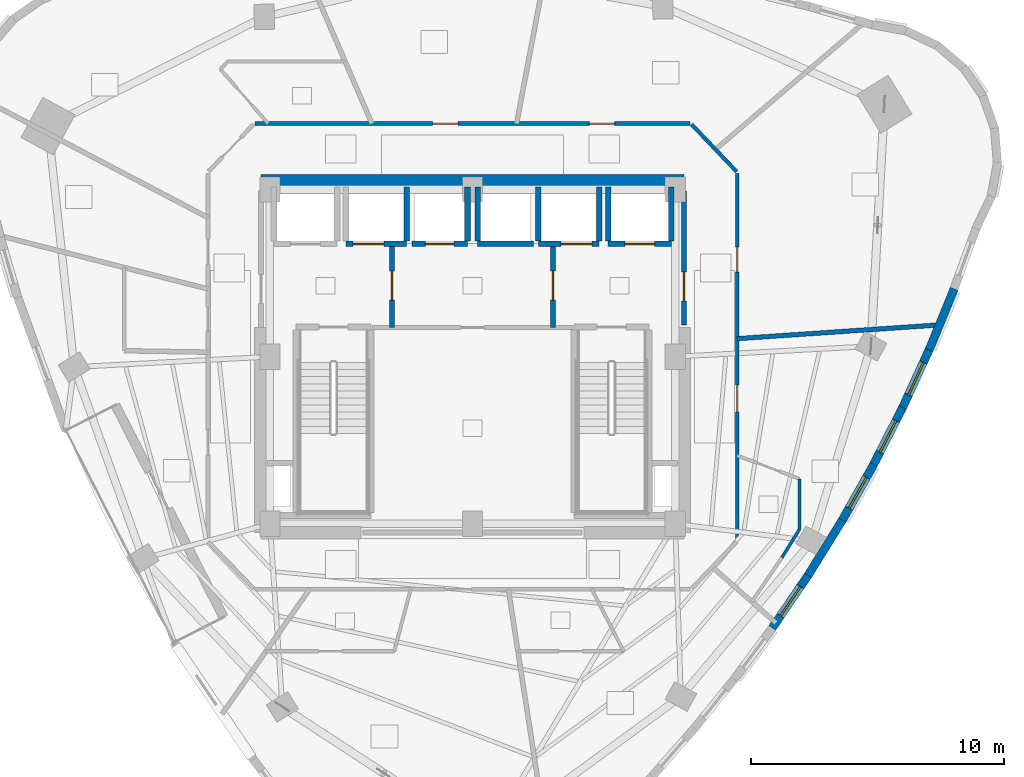
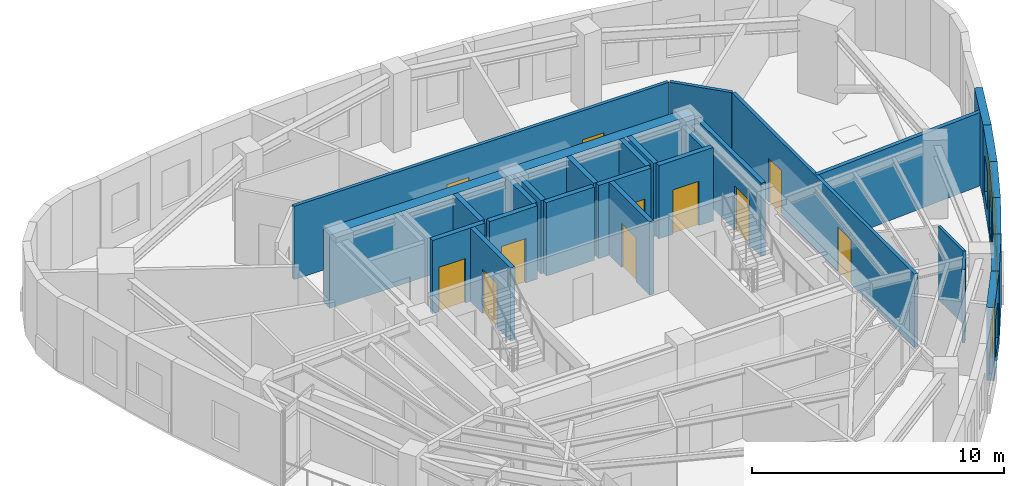
# One storey, part 8 of 13: 28 walls, 11 doors, 4 windows, 15 openings.
"""IFC4 building model written with IfcOpenShell, lengths in metres."""

from ifc_helpers import new_model, si_unit, direction, frame, frame_2d, origin, place, context, subcontext, project, spatial, rectangle, extrude, material, layer, layer_set, type_object, element, fill, save


model = new_model("IFC4")

# Units and contexts
model_context = context("Model", 3, precision=1e-05, world=origin(), true_north=direction((0.0, 1.0)))
body_context = subcontext(model_context, "Body", "Model", "MODEL_VIEW")
ifc_project = project(units=[si_unit("LENGTHUNIT", "METRE"), si_unit("AREAUNIT", "SQUARE_METRE"), si_unit("VOLUMEUNIT", "CUBIC_METRE"), si_unit("PLANEANGLEUNIT", "RADIAN"), si_unit("MASSUNIT", "GRAM", prefix="KILO")], contexts=[model_context])

# Site, building, storey
site_placement = place(None, origin())
site = spatial("IfcSite", under=ifc_project, at=site_placement, CompositionType="ELEMENT")
building_placement = place(site_placement, origin())
building = spatial("IfcBuilding", under=site, at=building_placement, Name="Ndelora Gate Hotel", CompositionType="ELEMENT")
storey_placement = place(building_placement, frame((0.0, 0.0, 197.949951171875)))
storey = spatial("IfcBuildingStorey", under=building, at=storey_placement, Name="L49", CompositionType="ELEMENT", Elevation=197.949951171875)

# Wall
ifc_material_1 = material(Name="Acoustic Double-Stud Gypsum Assembly", Category="gypsum")
ifc_layer_1 = layer(ifc_material_1, 0.179931640625)
ifc_layer_set_1 = layer_set([ifc_layer_1], Name="Acoustic Double-Stud Gypsum Assembly")
wall_type_1 = type_object("IfcWallType", Name="WL-ACOUST-180", PredefinedType="PARTITIONING", material=ifc_layer_set_1)
wall_1_placement = place(storey_placement, frame((10.449951171875, 0.7109375, 0.0), z_axis=(0.0, 0.0, 1.0), x_axis=(0.997694458534, 0.067865804428, 0.0)))
element("IfcWall", 1, at=wall_1_placement, inside=storey, type_object=wall_type_1, Name="L49 Interior Wall IW-3", PredefinedType="PARTITIONING", context=body_context, shape_type="SweptSolid", body=[
    extrude(rectangle(XDim=8.000732421875, YDim=0.179931640625, at=frame_2d((4.00048828125, 0.0))), origin(), (0.0, 0.0, 1.0), 3.550048828125),
])

# Wall, opening, window
ifc_material_2 = material(Name="Clay Brick Masonry", Category="masonry")
ifc_layer_2 = layer(ifc_material_2, 0.330078125)
ifc_layer_set_2 = layer_set([ifc_layer_2], Name="Clay Brick Masonry")
wall_type_2 = type_object("IfcWallType", Name="WL-BRICK-330", PredefinedType="SOLIDWALL", material=ifc_layer_set_2)
wall_2_placement = place(storey_placement, frame((13.277099609375, -8.59228515625, 0.0), z_axis=(0.0, 0.0, 1.0), x_axis=(-0.562164288669, -0.827025581554, 0.0)))
wall_2 = element("IfcWall", 2, at=wall_2_placement, inside=storey, type_object=wall_type_2, Name="L49 Tower Brick Pier-and-Spandrel Wall TWR-32", PredefinedType="SOLIDWALL", context=body_context, shape_type="SweptSolid", body=[
    extrude(rectangle(XDim=2.566162109375, YDim=0.330078125, at=frame_2d((1.283203125, 0.0))), origin(), (0.0, 0.0, 1.0), 3.550048828125),
])
opening_1_placement = place(wall_2_placement, frame((0.5830078125, 0.0, 0.719970703125)))
opening_1 = element("IfcOpeningElement", 3, at=opening_1_placement, cuts=wall_2, Name="Opening W02", PredefinedType="OPENING", context=body_context, shape_type="SweptSolid", body=[
    extrude(rectangle(XDim=1.39990234375, YDim=1.840087890625, at=frame_2d((0.699951171875, 0.919921875))), frame((0.0, 0.175048828125, 0.0), z_axis=(0.0, -1.0, 0.0), x_axis=(1.0, 0.0, 0.0)), (0.0, 0.0, 1.0), 0.35009765625),
])
ifc_material_3 = material(Name="Insulated Low-E Double Glazing in Bronze Aluminium Frame", Category="aluminium")
window_type = type_object("IfcWindowType", Name="WN-DEEP-1400", PartitioningType="SINGLE_PANEL", PredefinedType="WINDOW", material=ifc_material_3)
window_1_placement = place(opening_1_placement, origin())
window_1 = element("IfcWindow", 4, at=window_1_placement, inside=storey, type_object=window_type, Name="L49 Deep-Set Brick-Pier Window W02", OverallHeight=1.840087890625, OverallWidth=1.39990234375, PartitioningType="SINGLE_PANEL", PredefinedType="WINDOW", context=body_context, shape_type="SweptSolid", body=[
    extrude(rectangle(XDim=1.39990234375, YDim=1.840087890625, at=frame_2d((0.699951171875, 0.919921875))), frame((0.0, 0.030029296875, 0.0), z_axis=(0.0, -1.0, 0.0), x_axis=(1.0, 0.0, 0.0)), (0.0, 0.0, 1.0), 0.06005859375),
])
fill(opening_1, window_1)

# Wall
wall_3_placement = place(storey_placement, frame((14.601806640625, -6.453369140625, 0.0), z_axis=(0.0, 0.0, 1.0), x_axis=(-0.526908054593, -0.849922291745, 0.0)))
element("IfcWall", 5, at=wall_3_placement, inside=storey, type_object=wall_type_2, Name="L49 Tower Brick Pier-and-Spandrel Wall TWR-33", PredefinedType="SOLIDWALL", context=body_context, shape_type="SweptSolid", body=[
    extrude(rectangle(XDim=2.56591796875, YDim=0.330078125, at=frame_2d((1.282958984375, 0.0))), origin(), (0.0, 0.0, 1.0), 3.550048828125),
])

# Wall, opening, window
wall_4_placement = place(storey_placement, frame((15.838134765625, -4.2568359375, 0.0), z_axis=(0.0, 0.0, 1.0), x_axis=(-0.490851857412, -0.871243051091, 0.0)))
wall_4 = element("IfcWall", 6, at=wall_4_placement, inside=storey, type_object=wall_type_2, Name="L49 Tower Brick Pier-and-Spandrel Wall TWR-34", PredefinedType="SOLIDWALL", context=body_context, shape_type="SweptSolid", body=[
    extrude(rectangle(XDim=2.570556640625, YDim=0.330078125, at=frame_2d((1.28515625, 0.0))), origin(), (0.0, 0.0, 1.0), 3.550048828125),
])
opening_2_placement = place(wall_4_placement, frame((0.585205078125, 0.0, 0.719970703125)))
opening_2 = element("IfcOpeningElement", 7, at=opening_2_placement, cuts=wall_4, Name="Opening W02", PredefinedType="OPENING", context=body_context, shape_type="SweptSolid", body=[
    extrude(rectangle(XDim=1.39990234375, YDim=1.840087890625, at=frame_2d((0.699951171875, 0.919921875))), frame((0.0, 0.175048828125, 0.0), z_axis=(0.0, -1.0, 0.0), x_axis=(1.0, 0.0, 0.0)), (0.0, 0.0, 1.0), 0.35009765625),
])
window_2_placement = place(opening_2_placement, origin())
window_2 = element("IfcWindow", 8, at=window_2_placement, inside=storey, type_object=window_type, Name="L49 Deep-Set Brick-Pier Window W02", OverallHeight=1.840087890625, OverallWidth=1.39990234375, PartitioningType="SINGLE_PANEL", PredefinedType="WINDOW", context=body_context, shape_type="SweptSolid", body=[
    extrude(rectangle(XDim=1.39990234375, YDim=1.840087890625, at=frame_2d((0.699951171875, 0.919921875))), frame((0.0, 0.030029296875, 0.0), z_axis=(0.0, -1.0, 0.0), x_axis=(1.0, 0.0, 0.0)), (0.0, 0.0, 1.0), 0.06005859375),
])
fill(opening_2, window_2)

wall_5_placement = place(storey_placement, frame((16.986083984375, -2.002685546875, 0.0), z_axis=(0.0, 0.0, 1.0), x_axis=(-0.454203650024, -0.890897886576, 0.0)))
wall_5 = element("IfcWall", 9, at=wall_5_placement, inside=storey, type_object=wall_type_2, Name="L49 Tower Brick Pier-and-Spandrel Wall TWR-35", PredefinedType="SOLIDWALL", context=body_context, shape_type="SweptSolid", body=[
    extrude(rectangle(XDim=2.57958984375, YDim=0.330078125, at=frame_2d((1.289794921875, 0.0))), origin(), (0.0, 0.0, 1.0), 3.550048828125),
])
opening_3_placement = place(wall_5_placement, frame((0.589599609375, 0.0, 0.719970703125)))
opening_3 = element("IfcOpeningElement", 10, at=opening_3_placement, cuts=wall_5, Name="Opening W02", PredefinedType="OPENING", context=body_context, shape_type="SweptSolid", body=[
    extrude(rectangle(XDim=1.39990234375, YDim=1.840087890625, at=frame_2d((0.699951171875, 0.919921875))), frame((0.0, 0.175048828125, 0.0), z_axis=(0.0, -1.0, 0.0), x_axis=(1.0, 0.0, 0.0)), (0.0, 0.0, 1.0), 0.35009765625),
])
window_3_placement = place(opening_3_placement, origin())
window_3 = element("IfcWindow", 11, at=window_3_placement, inside=storey, type_object=window_type, Name="L49 Deep-Set Brick-Pier Window W02", OverallHeight=1.840087890625, OverallWidth=1.39990234375, PartitioningType="SINGLE_PANEL", PredefinedType="WINDOW", context=body_context, shape_type="SweptSolid", body=[
    extrude(rectangle(XDim=1.39990234375, YDim=1.840087890625, at=frame_2d((0.699951171875, 0.919921875))), frame((0.0, 0.030029296875, 0.0), z_axis=(0.0, -1.0, 0.0), x_axis=(1.0, 0.0, 0.0)), (0.0, 0.0, 1.0), 0.06005859375),
])
fill(opening_3, window_3)

wall_6_placement = place(storey_placement, frame((18.04541015625, 0.30859375, 0.0), z_axis=(0.0, 0.0, 1.0), x_axis=(-0.41697893771, -0.908916148776, 0.0)))
wall_6 = element("IfcWall", 12, at=wall_6_placement, inside=storey, type_object=wall_type_2, Name="L49 Tower Brick Pier-and-Spandrel Wall TWR-36", PredefinedType="SOLIDWALL", context=body_context, shape_type="SweptSolid", body=[
    extrude(rectangle(XDim=2.592529296875, YDim=0.330078125, at=frame_2d((1.29638671875, 0.0))), origin(), (0.0, 0.0, 1.0), 3.550048828125),
])
opening_4_placement = place(wall_6_placement, frame((0.59619140625, 0.0, 0.719970703125)))
opening_4 = element("IfcOpeningElement", 13, at=opening_4_placement, cuts=wall_6, Name="Opening W02", PredefinedType="OPENING", context=body_context, shape_type="SweptSolid", body=[
    extrude(rectangle(XDim=1.39990234375, YDim=1.840087890625, at=frame_2d((0.699951171875, 0.919921875))), frame((0.0, 0.175048828125, 0.0), z_axis=(0.0, -1.0, 0.0), x_axis=(1.0, 0.0, 0.0)), (0.0, 0.0, 1.0), 0.35009765625),
])
window_4_placement = place(opening_4_placement, origin())
window_4 = element("IfcWindow", 14, at=window_4_placement, inside=storey, type_object=window_type, Name="L49 Deep-Set Brick-Pier Window W02", OverallHeight=1.840087890625, OverallWidth=1.39990234375, PartitioningType="SINGLE_PANEL", PredefinedType="WINDOW", context=body_context, shape_type="SweptSolid", body=[
    extrude(rectangle(XDim=1.39990234375, YDim=1.840087890625, at=frame_2d((0.699951171875, 0.919921875))), frame((0.0, 0.030029296875, 0.0), z_axis=(0.0, -1.0, 0.0), x_axis=(1.0, 0.0, 0.0)), (0.0, 0.0, 1.0), 0.06005859375),
])
fill(opening_4, window_4)

# Walls
wall_7_placement = place(storey_placement, frame((19.01611328125, 2.67724609375, 0.0), z_axis=(0.0, 0.0, 1.0), x_axis=(-0.379601522234, -0.925150087455, 0.0)))
element("IfcWall", 15, at=wall_7_placement, inside=storey, type_object=wall_type_2, Name="L49 Tower Brick Pier-and-Spandrel Wall TWR-37", PredefinedType="SOLIDWALL", context=body_context, shape_type="SweptSolid", body=[
    extrude(rectangle(XDim=2.60986328125, YDim=0.330078125, at=frame_2d((1.304931640625, 0.0))), origin(), (0.0, 0.0, 1.0), 3.550048828125),
])
ifc_material_4 = material(Name="Concrete C50/60", Category="concrete")
ifc_layer_3 = layer(ifc_material_4, 0.5)
ifc_layer_set_3 = layer_set([ifc_layer_3], Name="Concrete C50/60")
wall_type_3 = type_object("IfcWallType", Name="WL-CORE-500", PredefinedType="SHEAR", material=ifc_layer_set_3)
wall_8_placement = place(storey_placement, frame((-8.35009765625, 6.949951171875, 0.0), z_axis=(0.0, 0.0, 1.0), x_axis=(1.0, 0.0, 0.0)))
element("IfcWall", 16, at=wall_8_placement, inside=storey, type_object=wall_type_3, Name="L49 Core Shear Wall N", PredefinedType="SHEAR", context=body_context, shape_type="SweptSolid", body=[
    extrude(rectangle(XDim=16.7001953125, YDim=0.5, at=frame_2d((8.35009765625, 0.0))), origin(), (0.0, 0.0, 1.0), 3.550048828125),
])

# Wall, opening, door
ifc_material_5 = material(Name="Concrete C40/50", Category="concrete")
ifc_layer_4 = layer(ifc_material_5, 0.199951171875)
ifc_layer_set_4 = layer_set([ifc_layer_4], Name="Concrete C40/50")
wall_type_4 = type_object("IfcWallType", Name="WL-FIRE-200", PredefinedType="PARTITIONING", material=ifc_layer_set_4)
wall_9_placement = place(storey_placement, frame((-3.179931640625, 1.14990234375, 0.0), z_axis=(0.0, 0.0, 1.0), x_axis=(0.0, 1.0, 0.0)))
wall_9 = element("IfcWall", 17, at=wall_9_placement, inside=storey, type_object=wall_type_4, Name="L49 Interior Wall IW-2", PredefinedType="PARTITIONING", context=body_context, shape_type="SweptSolid", body=[
    extrude(rectangle(XDim=3.300048828125, YDim=0.199951171875, at=frame_2d((1.64990234375, 0.0))), origin(), (0.0, 0.0, 1.0), 3.550048828125),
])
opening_5_placement = place(wall_9_placement, frame((1.080078125, 0.0, 0.0)))
opening_5 = element("IfcOpeningElement", 18, at=opening_5_placement, cuts=wall_9, Name="Opening FD1", PredefinedType="OPENING", context=body_context, shape_type="SweptSolid", body=[
    extrude(rectangle(XDim=1.14990234375, YDim=2.14990234375, at=frame_2d((0.574951171875, 1.074951171875))), frame((0.0, 0.10986328125, 0.0), z_axis=(0.0, -1.0, 0.0), x_axis=(1.0, 0.0, 0.0)), (0.0, 0.0, 1.0), 0.219970703125),
])
ifc_material_6 = material(Name="Fire-Rated Timber-Veneer Steel Core", Category="steel")
door_type_1 = type_object("IfcDoorType", Name="DR-FD60", OperationType="SINGLE_SWING_LEFT", PredefinedType="DOOR", material=ifc_material_6)
door_1_placement = place(opening_5_placement, origin())
door_1 = element("IfcDoor", 19, at=door_1_placement, inside=storey, type_object=door_type_1, Name="L49 Firefighting Lobby West Door", OperationType="SINGLE_SWING_RIGHT", OverallHeight=2.14990234375, OverallWidth=1.14990234375, PredefinedType="DOOR", context=body_context, shape_type="SweptSolid", body=[
    extrude(rectangle(XDim=1.14990234375, YDim=2.14990234375, at=frame_2d((0.574951171875, 1.074951171875))), frame((0.0, 0.02490234375, 0.0), z_axis=(0.0, -1.0, 0.0), x_axis=(1.0, 0.0, 0.0)), (0.0, 0.0, 1.0), 0.050048828125),
])
fill(opening_5, door_1)

wall_10_placement = place(storey_placement, frame((3.179931640625, 1.14990234375, 0.0), z_axis=(0.0, 0.0, 1.0), x_axis=(0.0, 1.0, 0.0)))
wall_10 = element("IfcWall", 20, at=wall_10_placement, inside=storey, type_object=wall_type_4, Name="L49 Interior Wall IW-2", PredefinedType="PARTITIONING", context=body_context, shape_type="SweptSolid", body=[
    extrude(rectangle(XDim=3.300048828125, YDim=0.199951171875, at=frame_2d((1.64990234375, 0.0))), origin(), (0.0, 0.0, 1.0), 3.550048828125),
])
opening_6_placement = place(wall_10_placement, frame((1.080078125, 0.0, 0.0)))
opening_6 = element("IfcOpeningElement", 21, at=opening_6_placement, cuts=wall_10, Name="Opening FD1", PredefinedType="OPENING", context=body_context, shape_type="SweptSolid", body=[
    extrude(rectangle(XDim=1.14990234375, YDim=2.14990234375, at=frame_2d((0.574951171875, 1.074951171875))), frame((0.0, 0.10986328125, 0.0), z_axis=(0.0, -1.0, 0.0), x_axis=(1.0, 0.0, 0.0)), (0.0, 0.0, 1.0), 0.219970703125),
])
door_2_placement = place(opening_6_placement, origin())
door_2 = element("IfcDoor", 22, at=door_2_placement, inside=storey, type_object=door_type_1, Name="L49 Firefighting Lobby East Door", OperationType="SINGLE_SWING_LEFT", OverallHeight=2.14990234375, OverallWidth=1.14990234375, PredefinedType="DOOR", context=body_context, shape_type="SweptSolid", body=[
    extrude(rectangle(XDim=1.14990234375, YDim=2.14990234375, at=frame_2d((0.574951171875, 1.074951171875))), frame((0.0, 0.02490234375, 0.0), z_axis=(0.0, -1.0, 0.0), x_axis=(1.0, 0.0, 0.0)), (0.0, 0.0, 1.0), 0.050048828125),
])
fill(opening_6, door_2)

wall_11_placement = place(storey_placement, frame((8.35009765625, 1.25, 0.0), z_axis=(0.0, 0.0, 1.0), x_axis=(0.0, 1.0, 0.0)))
wall_11 = element("IfcWall", 23, at=wall_11_placement, inside=storey, type_object=wall_type_4, Name="L49 Interior Wall IW-2", PredefinedType="PARTITIONING", context=body_context, shape_type="SweptSolid", body=[
    extrude(rectangle(XDim=5.300048828125, YDim=0.199951171875, at=frame_2d((2.64990234375, 0.0))), origin(), (0.0, 0.0, 1.0), 3.550048828125),
])
opening_7_placement = place(wall_11_placement, frame((0.949951171875, 0.0, 0.0)))
opening_7 = element("IfcOpeningElement", 24, at=opening_7_placement, cuts=wall_11, Name="Opening FD1", PredefinedType="OPENING", context=body_context, shape_type="SweptSolid", body=[
    extrude(rectangle(XDim=1.14990234375, YDim=2.14990234375, at=frame_2d((0.574951171875, 1.074951171875))), frame((0.0, 0.10986328125, 0.0), z_axis=(0.0, -1.0, 0.0), x_axis=(1.0, 0.0, 0.0)), (0.0, 0.0, 1.0), 0.219970703125),
])
door_3_placement = place(opening_7_placement, origin())
door_3 = element("IfcDoor", 25, at=door_3_placement, inside=storey, type_object=door_type_1, Name="L49 Firefighting Lobby East Corridor Door", OperationType="SINGLE_SWING_RIGHT", OverallHeight=2.14990234375, OverallWidth=1.14990234375, PredefinedType="DOOR", context=body_context, shape_type="SweptSolid", body=[
    extrude(rectangle(XDim=1.14990234375, YDim=2.14990234375, at=frame_2d((0.574951171875, 1.074951171875))), frame((0.0, 0.02490234375, 0.0), z_axis=(0.0, -1.0, 0.0), x_axis=(1.0, 0.0, 0.0)), (0.0, 0.0, 1.0), 0.050048828125),
])
fill(opening_7, door_3)

# Wall, openings, doors
ifc_material_7 = material(Name="Fire-Rated Gypsum Stud Partition", Category="gypsum")
ifc_layer_5 = layer(ifc_material_7, 0.14990234375)
ifc_layer_set_5 = layer_set([ifc_layer_5], Name="Fire-Rated Gypsum Stud Partition")
wall_type_5 = type_object("IfcWallType", Name="WL-PART-150", PredefinedType="PARTITIONING", material=ifc_layer_set_5)
wall_12_placement = place(storey_placement, frame((10.449951171875, 7.239990234375, 0.0), z_axis=(0.0, 0.0, 1.0), x_axis=(0.0, -1.0, 0.0)))
wall_12 = element("IfcWall", 26, at=wall_12_placement, inside=storey, type_object=wall_type_5, Name="L49 Interior Wall IW-5", PredefinedType="PARTITIONING", context=body_context, shape_type="SweptSolid", body=[
    extrude(rectangle(XDim=14.47998046875, YDim=0.14990234375, at=frame_2d((7.239990234375, 0.0))), origin(), (0.0, 0.0, 1.0), 3.550048828125),
])
opening_8_placement = place(wall_12_placement, frame((8.36181640625, 0.0, 0.0)))
opening_8 = element("IfcOpeningElement", 27, at=opening_8_placement, cuts=wall_12, Name="Opening D07", PredefinedType="OPENING", context=body_context, shape_type="SweptSolid", body=[
    extrude(rectangle(XDim=1.06005859375, YDim=2.14990234375, at=frame_2d((0.530029296875, 1.074951171875))), frame((0.0, 0.0849609375, 0.0), z_axis=(0.0, -1.0, 0.0), x_axis=(1.0, 0.0, 0.0)), (0.0, 0.0, 1.0), 0.169921875),
])
opening_9_placement = place(wall_12_placement, frame((2.904541015625, 0.0, 0.0)))
opening_9 = element("IfcOpeningElement", 28, at=opening_9_placement, cuts=wall_12, Name="Opening D01", PredefinedType="OPENING", context=body_context, shape_type="SweptSolid", body=[
    extrude(rectangle(XDim=1.0, YDim=2.14990234375, at=frame_2d((0.5, 1.074951171875))), frame((0.0, 0.0849609375, 0.0), z_axis=(0.0, -1.0, 0.0), x_axis=(1.0, 0.0, 0.0)), (0.0, 0.0, 1.0), 0.169921875),
])
ifc_material_8 = material(Name="Acoustic Hardwood Guest Entrance Door", Category="wood")
door_type_2 = type_object("IfcDoorType", Name="DR-COR-1000", OperationType="SINGLE_SWING_LEFT", PredefinedType="DOOR", material=ifc_material_8)
door_4_placement = place(opening_9_placement, origin())
door_4 = element("IfcDoor", 29, at=door_4_placement, inside=storey, type_object=door_type_2, Name="L49 Summit Boardroom Office Entrance Door", OperationType="SINGLE_SWING_RIGHT", OverallHeight=2.14990234375, OverallWidth=1.0, PredefinedType="DOOR", context=body_context, shape_type="SweptSolid", body=[
    extrude(rectangle(XDim=1.0, YDim=2.14990234375, at=frame_2d((0.5, 1.074951171875))), frame((0.0, 0.02490234375, 0.0), z_axis=(0.0, -1.0, 0.0), x_axis=(1.0, 0.0, 0.0)), (0.0, 0.0, 1.0), 0.050048828125),
])
fill(opening_9, door_4)
ifc_material_9 = material(Name="Diplomatic Suite Acoustic Entrance Door", Category="wood")
door_type_3 = type_object("IfcDoorType", Name="DR-SUITE-1060", OperationType="SINGLE_SWING_LEFT", PredefinedType="DOOR", material=ifc_material_9)
door_5_placement = place(opening_8_placement, origin())
door_5 = element("IfcDoor", 30, at=door_5_placement, inside=storey, type_object=door_type_3, Name="L49 Diplomatic Sky Suite 5203 Entrance Door", OperationType="SINGLE_SWING_RIGHT", OverallHeight=2.14990234375, OverallWidth=1.06005859375, PredefinedType="DOOR", context=body_context, shape_type="SweptSolid", body=[
    extrude(rectangle(XDim=1.06005859375, YDim=2.14990234375, at=frame_2d((0.530029296875, 1.074951171875))), frame((0.0, 0.02490234375, 0.0), z_axis=(0.0, -1.0, 0.0), x_axis=(1.0, 0.0, 0.0)), (0.0, 0.0, 1.0), 0.050048828125),
])
fill(opening_8, door_5)

# Wall
wall_13_placement = place(storey_placement, frame((8.647705078125, 9.1708984375, 0.0), z_axis=(0.0, 0.0, 1.0), x_axis=(0.689960858356, -0.723846678473, 0.0)))
element("IfcWall", 31, at=wall_13_placement, inside=storey, type_object=wall_type_5, Name="L49 Interior Wall IW-5", PredefinedType="PARTITIONING", context=body_context, shape_type="SweptSolid", body=[
    extrude(rectangle(XDim=2.572021484375, YDim=0.14990234375, at=frame_2d((1.2861328125, 0.0))), origin(), (0.0, 0.0, 1.0), 3.550048828125),
])

# Wall, openings, doors
wall_14_placement = place(storey_placement, frame((-8.580078125, 9.199951171875, 0.0), z_axis=(0.0, 0.0, 1.0), x_axis=(1.0, 0.0, 0.0)))
wall_14 = element("IfcWall", 32, at=wall_14_placement, inside=storey, type_object=wall_type_5, Name="L49 Interior Wall IW-5", PredefinedType="PARTITIONING", context=body_context, shape_type="SweptSolid", body=[
    extrude(rectangle(XDim=17.16015625, YDim=0.14990234375, at=frame_2d((8.580078125, 0.0))), origin(), (0.0, 0.0, 1.0), 3.550048828125),
])
opening_10_placement = place(wall_14_placement, frame((7.0078125, 0.0, 0.0)))
opening_10 = element("IfcOpeningElement", 33, at=opening_10_placement, cuts=wall_14, Name="Opening D01", PredefinedType="OPENING", context=body_context, shape_type="SweptSolid", body=[
    extrude(rectangle(XDim=1.0, YDim=2.14990234375, at=frame_2d((0.5, 1.074951171875))), frame((0.0, 0.0849609375, 0.0), z_axis=(0.0, -1.0, 0.0), x_axis=(1.0, 0.0, 0.0)), (0.0, 0.0, 1.0), 0.169921875),
])
opening_11_placement = place(wall_14_placement, frame((13.189453125, 0.0, 0.0)))
opening_11 = element("IfcOpeningElement", 34, at=opening_11_placement, cuts=wall_14, Name="Opening D01", PredefinedType="OPENING", context=body_context, shape_type="SweptSolid", body=[
    extrude(rectangle(XDim=1.0, YDim=2.14990234375, at=frame_2d((0.5, 1.074951171875))), frame((0.0, 0.0849609375, 0.0), z_axis=(0.0, -1.0, 0.0), x_axis=(1.0, 0.0, 0.0)), (0.0, 0.0, 1.0), 0.169921875),
])
door_6_placement = place(opening_10_placement, origin())
door_6 = element("IfcDoor", 35, at=door_6_placement, inside=storey, type_object=door_type_2, Name="L49 Private Tea Cocktail Bar Entrance Door", OperationType="SINGLE_SWING_LEFT", OverallHeight=2.14990234375, OverallWidth=1.0, PredefinedType="DOOR", context=body_context, shape_type="SweptSolid", body=[
    extrude(rectangle(XDim=1.0, YDim=2.14990234375, at=frame_2d((0.5, 1.074951171875))), frame((0.0, 0.02490234375, 0.0), z_axis=(0.0, -1.0, 0.0), x_axis=(1.0, 0.0, 0.0)), (0.0, 0.0, 1.0), 0.050048828125),
])
fill(opening_10, door_6)
door_7_placement = place(opening_11_placement, origin())
door_7 = element("IfcDoor", 36, at=door_7_placement, inside=storey, type_object=door_type_2, Name="L49 Diplomatic Briefing Office Entrance Door", OperationType="SINGLE_SWING_RIGHT", OverallHeight=2.14990234375, OverallWidth=1.0, PredefinedType="DOOR", context=body_context, shape_type="SweptSolid", body=[
    extrude(rectangle(XDim=1.0, YDim=2.14990234375, at=frame_2d((0.5, 1.074951171875))), frame((0.0, 0.02490234375, 0.0), z_axis=(0.0, -1.0, 0.0), x_axis=(1.0, 0.0, 0.0)), (0.0, 0.0, 1.0), 0.050048828125),
])
fill(opening_11, door_7)

# Wall, opening, door
ifc_layer_6 = layer(ifc_material_5, 0.219970703125)
ifc_layer_set_6 = layer_set([ifc_layer_6], Name="Concrete C40/50")
wall_type_6 = type_object("IfcWallType", Name="WL-SHAFT-220", PredefinedType="PARTITIONING", material=ifc_layer_set_6)
wall_15_placement = place(storey_placement, frame((5.35009765625, 4.449951171875, 0.0), z_axis=(0.0, 0.0, 1.0), x_axis=(1.0, 0.0, 0.0)))
wall_15 = element("IfcWall", 37, at=wall_15_placement, inside=storey, type_object=wall_type_6, Name="L49 Interior Wall IW-1", PredefinedType="PARTITIONING", context=body_context, shape_type="SweptSolid", body=[
    extrude(rectangle(XDim=2.5, YDim=0.219970703125, at=frame_2d((1.25, 0.0))), origin(), (0.0, 0.0, 1.0), 3.550048828125),
])
opening_12_placement = place(wall_15_placement, frame((0.659912109375, 0.0, 0.0)))
opening_12 = element("IfcOpeningElement", 38, at=opening_12_placement, cuts=wall_15, Name="Opening LD5", PredefinedType="OPENING", context=body_context, shape_type="SweptSolid", body=[
    extrude(rectangle(XDim=1.179931640625, YDim=2.14990234375, at=frame_2d((0.58984375, 1.074951171875))), frame((0.0, 0.1201171875, 0.0), z_axis=(0.0, -1.0, 0.0), x_axis=(1.0, 0.0, 0.0)), (0.0, 0.0, 1.0), 0.239990234375),
])
ifc_material_10 = material(Name="Firefighting Lift Stainless Sliding Landing Door", Category="metal")
door_type_4 = type_object("IfcDoorType", Name="DR-LD5", OperationType="DOUBLE_DOOR_SLIDING", PredefinedType="DOOR", material=ifc_material_10)
door_8_placement = place(opening_12_placement, origin())
door_8 = element("IfcDoor", 39, at=door_8_placement, inside=storey, type_object=door_type_4, Name="L49 Lift Landing Sliding Door FFL2", OperationType="DOUBLE_DOOR_SLIDING", OverallHeight=2.14990234375, OverallWidth=1.179931640625, PredefinedType="DOOR", context=body_context, shape_type="SweptSolid", body=[
    extrude(rectangle(XDim=1.179931640625, YDim=2.14990234375, at=frame_2d((0.58984375, 1.074951171875))), frame((0.0, 0.02490234375, 0.0), z_axis=(0.0, -1.0, 0.0), x_axis=(1.0, 0.0, 0.0)), (0.0, 0.0, 1.0), 0.050048828125),
])
fill(opening_12, door_8)

# Walls
wall_16_placement = place(storey_placement, frame((5.35009765625, 4.570068359375, 0.0), z_axis=(0.0, 0.0, 1.0), x_axis=(0.0, 1.0, 0.0)))
element("IfcWall", 40, at=wall_16_placement, inside=storey, type_object=wall_type_6, Name="L49 Interior Wall IW-1", PredefinedType="PARTITIONING", context=body_context, shape_type="SweptSolid", body=[
    extrude(rectangle(XDim=2.1298828125, YDim=0.219970703125, at=frame_2d((1.06494140625, 0.0))), origin(), (0.0, 0.0, 1.0), 3.550048828125),
])
wall_17_placement = place(storey_placement, frame((7.85009765625, 4.570068359375, 0.0), z_axis=(0.0, 0.0, 1.0), x_axis=(0.0, 1.0, 0.0)))
element("IfcWall", 41, at=wall_17_placement, inside=storey, type_object=wall_type_6, Name="L49 Interior Wall IW-1", PredefinedType="PARTITIONING", context=body_context, shape_type="SweptSolid", body=[
    extrude(rectangle(XDim=2.1298828125, YDim=0.219970703125, at=frame_2d((1.06494140625, 0.0))), origin(), (0.0, 0.0, 1.0), 3.179931640625),
])

# Wall, opening, door
wall_18_placement = place(storey_placement, frame((-5.0, 4.449951171875, 0.0), z_axis=(0.0, 0.0, 1.0), x_axis=(1.0, 0.0, 0.0)))
wall_18 = element("IfcWall", 42, at=wall_18_placement, inside=storey, type_object=wall_type_6, Name="L49 Interior Wall IW-1", PredefinedType="PARTITIONING", context=body_context, shape_type="SweptSolid", body=[
    extrude(rectangle(XDim=2.39990234375, YDim=0.219970703125, at=frame_2d((1.199951171875, 0.0))), origin(), (0.0, 0.0, 1.0), 3.550048828125),
])
opening_13_placement = place(wall_18_placement, frame((0.280029296875, 0.0, 0.0)))
opening_13 = element("IfcOpeningElement", 43, at=opening_13_placement, cuts=wall_18, Name="Opening LD6", PredefinedType="OPENING", context=body_context, shape_type="SweptSolid", body=[
    extrude(rectangle(XDim=1.219970703125, YDim=2.14990234375, at=frame_2d((0.60986328125, 1.074951171875))), frame((0.0, 0.1201171875, 0.0), z_axis=(0.0, -1.0, 0.0), x_axis=(1.0, 0.0, 0.0)), (0.0, 0.0, 1.0), 0.239990234375),
])
ifc_material_11 = material(Name="Heavy-Duty Service Lift Sliding Landing Door", Category="wood")
door_type_5 = type_object("IfcDoorType", Name="DR-LD6", OperationType="DOUBLE_DOOR_SLIDING", PredefinedType="DOOR", material=ifc_material_11)
door_9_placement = place(opening_13_placement, origin())
door_9 = element("IfcDoor", 44, at=door_9_placement, inside=storey, type_object=door_type_5, Name="L49 Lift Landing Sliding Door SVL1", OperationType="DOUBLE_DOOR_SLIDING", OverallHeight=2.14990234375, OverallWidth=1.219970703125, PredefinedType="DOOR", context=body_context, shape_type="SweptSolid", body=[
    extrude(rectangle(XDim=1.219970703125, YDim=2.14990234375, at=frame_2d((0.60986328125, 1.074951171875))), frame((0.0, 0.02490234375, 0.0), z_axis=(0.0, -1.0, 0.0), x_axis=(1.0, 0.0, 0.0)), (0.0, 0.0, 1.0), 0.050048828125),
])
fill(opening_13, door_9)

# Wall
wall_19_placement = place(storey_placement, frame((-2.60009765625, 4.570068359375, 0.0), z_axis=(0.0, 0.0, 1.0), x_axis=(0.0, 1.0, 0.0)))
element("IfcWall", 45, at=wall_19_placement, inside=storey, type_object=wall_type_6, Name="L49 Interior Wall IW-1", PredefinedType="PARTITIONING", context=body_context, shape_type="SweptSolid", body=[
    extrude(rectangle(XDim=2.1298828125, YDim=0.219970703125, at=frame_2d((1.06494140625, 0.0))), origin(), (0.0, 0.0, 1.0), 3.550048828125),
])

# Wall, opening, door
wall_20_placement = place(storey_placement, frame((2.60009765625, 4.449951171875, 0.0), z_axis=(0.0, 0.0, 1.0), x_axis=(1.0, 0.0, 0.0)))
wall_20 = element("IfcWall", 46, at=wall_20_placement, inside=storey, type_object=wall_type_6, Name="L49 Interior Wall IW-1", PredefinedType="PARTITIONING", context=body_context, shape_type="SweptSolid", body=[
    extrude(rectangle(XDim=2.39990234375, YDim=0.219970703125, at=frame_2d((1.199951171875, 0.0))), origin(), (0.0, 0.0, 1.0), 3.550048828125),
])
opening_14_placement = place(wall_20_placement, frame((0.89990234375, 0.0, 0.0)))
opening_14 = element("IfcOpeningElement", 47, at=opening_14_placement, cuts=wall_20, Name="Opening LD6", PredefinedType="OPENING", context=body_context, shape_type="SweptSolid", body=[
    extrude(rectangle(XDim=1.219970703125, YDim=2.14990234375, at=frame_2d((0.60986328125, 1.074951171875))), frame((0.0, 0.1201171875, 0.0), z_axis=(0.0, -1.0, 0.0), x_axis=(1.0, 0.0, 0.0)), (0.0, 0.0, 1.0), 0.239990234375),
])
door_10_placement = place(opening_14_placement, origin())
door_10 = element("IfcDoor", 48, at=door_10_placement, inside=storey, type_object=door_type_5, Name="L49 Lift Landing Sliding Door SVL2", OperationType="DOUBLE_DOOR_SLIDING", OverallHeight=2.14990234375, OverallWidth=1.219970703125, PredefinedType="DOOR", context=body_context, shape_type="SweptSolid", body=[
    extrude(rectangle(XDim=1.219970703125, YDim=2.14990234375, at=frame_2d((0.60986328125, 1.074951171875))), frame((0.0, 0.02490234375, 0.0), z_axis=(0.0, -1.0, 0.0), x_axis=(1.0, 0.0, 0.0)), (0.0, 0.0, 1.0), 0.050048828125),
])
fill(opening_14, door_10)

# Walls
for number, where, z_axis, x_axis, name in (
    (49, (2.60009765625, 4.570068359375, 0.0), (0.0, 0.0, 1.0), (0.0, 1.0, 0.0), "L49 Interior Wall IW-1"),
    (50, (5.0, 4.570068359375, 0.0), (0.0, 0.0, 1.0), (0.0, 1.0, 0.0), "L49 Interior Wall IW-1"),
):
    element("IfcWall", number, at=place(storey_placement, frame(where, z_axis=z_axis, x_axis=x_axis)), inside=storey, type_object=wall_type_6, Name=name, PredefinedType="PARTITIONING", context=body_context, shape_type="SweptSolid", body=[
        extrude(rectangle(XDim=2.1298828125, YDim=0.219970703125, at=frame_2d((1.06494140625, 0.0))), origin(), (0.0, 0.0, 1.0), 3.550048828125),
    ])

# Wall, opening, door
wall_21_placement = place(storey_placement, frame((-2.39990234375, 4.449951171875, 0.0), z_axis=(0.0, 0.0, 1.0), x_axis=(1.0, 0.0, 0.0)))
wall_21 = element("IfcWall", 51, at=wall_21_placement, inside=storey, type_object=wall_type_6, Name="L49 Interior Wall IW-1", PredefinedType="PARTITIONING", context=body_context, shape_type="SweptSolid", body=[
    extrude(rectangle(XDim=2.199951171875, YDim=0.219970703125, at=frame_2d((1.10009765625, 0.0))), origin(), (0.0, 0.0, 1.0), 3.550048828125),
])
opening_15_placement = place(wall_21_placement, frame((0.5400390625, 0.0, 0.0)))
opening_15 = element("IfcOpeningElement", 52, at=opening_15_placement, cuts=wall_21, Name="Opening LD3", PredefinedType="OPENING", context=body_context, shape_type="SweptSolid", body=[
    extrude(rectangle(XDim=1.1201171875, YDim=2.14990234375, at=frame_2d((0.56005859375, 1.074951171875))), frame((0.0, 0.1201171875, 0.0), z_axis=(0.0, -1.0, 0.0), x_axis=(1.0, 0.0, 0.0)), (0.0, 0.0, 1.0), 0.239990234375),
])
ifc_material_12 = material(Name="Brushed Bronze Stainless Lift Landing Door", Category="metal")
door_type_6 = type_object("IfcDoorType", Name="DR-LD3", OperationType="DOUBLE_DOOR_SLIDING", PredefinedType="DOOR", material=ifc_material_12)
door_11_placement = place(opening_15_placement, origin())
door_11 = element("IfcDoor", 53, at=door_11_placement, inside=storey, type_object=door_type_6, Name="L49 Lift Landing Sliding Door P3A", OperationType="DOUBLE_DOOR_SLIDING", OverallHeight=2.14990234375, OverallWidth=1.1201171875, PredefinedType="DOOR", context=body_context, shape_type="SweptSolid", body=[
    extrude(rectangle(XDim=1.1201171875, YDim=2.14990234375, at=frame_2d((0.56005859375, 1.074951171875))), frame((0.0, 0.02490234375, 0.0), z_axis=(0.0, -1.0, 0.0), x_axis=(1.0, 0.0, 0.0)), (0.0, 0.0, 1.0), 0.050048828125),
])
fill(opening_15, door_11)

# Walls
wall_22_placement = place(storey_placement, frame((-0.199951171875, 4.570068359375, 0.0), z_axis=(0.0, 0.0, 1.0), x_axis=(0.0, 1.0, 0.0)))
element("IfcWall", 54, at=wall_22_placement, inside=storey, type_object=wall_type_6, Name="L49 Interior Wall IW-1", PredefinedType="PARTITIONING", context=body_context, shape_type="SweptSolid", body=[
    extrude(rectangle(XDim=2.1298828125, YDim=0.219970703125, at=frame_2d((1.06494140625, 0.0))), origin(), (0.0, 0.0, 1.0), 3.550048828125),
])
wall_23_placement = place(storey_placement, frame((0.199951171875, 4.449951171875, 0.0), z_axis=(0.0, 0.0, 1.0), x_axis=(1.0, 0.0, 0.0)))
element("IfcWall", 55, at=wall_23_placement, inside=storey, type_object=wall_type_6, Name="L49 Interior Wall IW-1", PredefinedType="PARTITIONING", context=body_context, shape_type="SweptSolid", body=[
    extrude(rectangle(XDim=2.199951171875, YDim=0.219970703125, at=frame_2d((1.10009765625, 0.0))), origin(), (0.0, 0.0, 1.0), 3.550048828125),
])
wall_24_placement = place(storey_placement, frame((0.199951171875, 4.570068359375, 0.0), z_axis=(0.0, 0.0, 1.0), x_axis=(0.0, 1.0, 0.0)))
element("IfcWall", 56, at=wall_24_placement, inside=storey, type_object=wall_type_6, Name="L49 Interior Wall IW-1", PredefinedType="PARTITIONING", context=body_context, shape_type="SweptSolid", body=[
    extrude(rectangle(XDim=2.1298828125, YDim=0.219970703125, at=frame_2d((1.06494140625, 0.0))), origin(), (0.0, 0.0, 1.0), 3.550048828125),
])
ifc_material_13 = material(Name="Moisture-Resistant Bathroom Tile Partition", Category="gypsum")
ifc_layer_7 = layer(ifc_material_13, 0.1201171875)
ifc_layer_set_7 = layer_set([ifc_layer_7], Name="Moisture-Resistant Bathroom Tile Partition")
wall_type_7 = type_object("IfcWallType", Name="WL-WET-120", PredefinedType="PARTITIONING", material=ifc_layer_set_7)
wall_25_placement = place(storey_placement, frame((12.89990234375, -4.821044921875, 0.0), z_axis=(0.0, 0.0, 1.0), x_axis=(0.0, -1.0, 0.0)))
element("IfcWall", 57, at=wall_25_placement, inside=storey, type_object=wall_type_7, Name="L49 Interior Wall IW-7", PredefinedType="PARTITIONING", context=body_context, shape_type="SweptSolid", body=[
    extrude(rectangle(XDim=2.005126953125, YDim=0.1201171875, at=frame_2d((1.00244140625, 0.0))), origin(), (0.0, 0.0, 1.0), 3.550048828125),
])
wall_26_placement = place(storey_placement, frame((12.21435546875, -7.931884765625, 0.0), z_axis=(0.0, 0.0, 1.0), x_axis=(0.52694237989, 0.849901010869, 0.0)))
element("IfcWall", 58, at=wall_26_placement, inside=storey, type_object=wall_type_7, Name="L49 Interior Wall IW-7", PredefinedType="PARTITIONING", context=body_context, shape_type="SweptSolid", body=[
    extrude(rectangle(XDim=1.301025390625, YDim=0.1201171875, at=frame_2d((0.650390625, 0.0))), origin(), (0.0, 0.0, 1.0), 3.550048828125),
])

save(model, "model.ifc")
